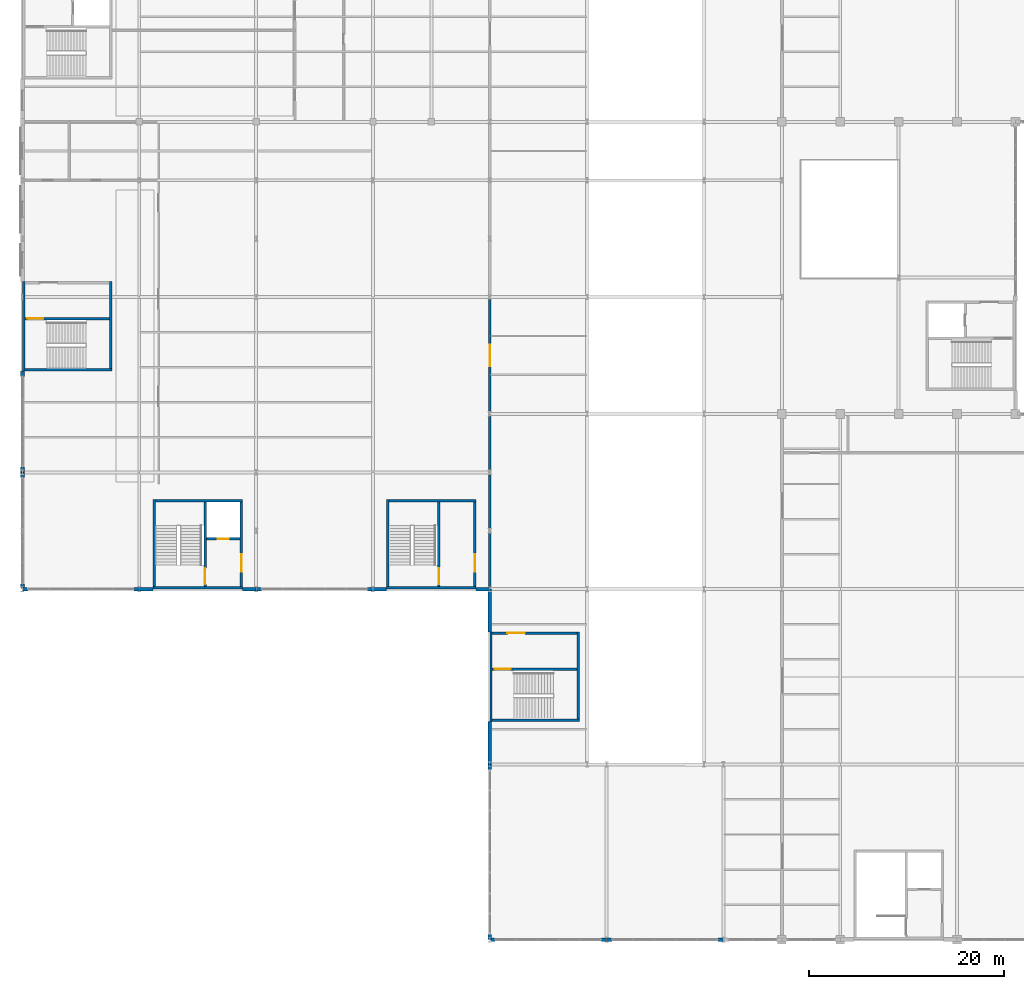
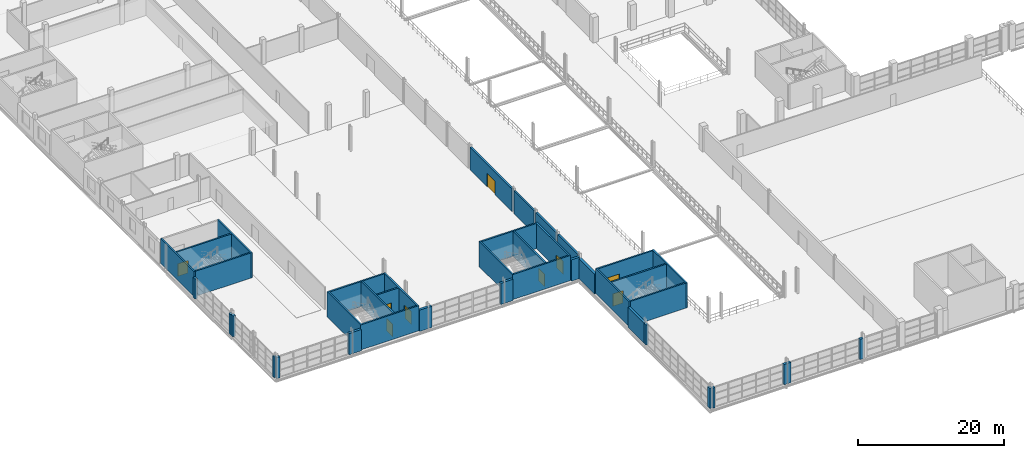
# One storey, part 138 of 158: 44 walls, 9 doors, 9 openings.
"""IFC4 building model written with IfcOpenShell, lengths in metres."""

import ifcopenshell
import ifcopenshell.guid

model = None  # the IFC model being written
_history = None  # IfcOwnerHistory: only IFC2X3 demands one
_inside = {}  # id of a spatial element -> (the spatial element, [elements in it])
_under = {}  # id of a project, library or spatial element -> (it, [spatial elements below it])
_declared = {}  # id of a project -> (the project, [libraries it declares])
_typed = {}  # id of a type object -> (the type object, [elements of that type])
_made_of = {}  # id of a material, layer set ... -> (it, [elements and type objects made of it])


def new_model(schema):
    """Start an empty IFC model of exactly this schema.

    Asked for "IFC4X3", IfcOpenShell would pick the latest addendum, in which some entities
    have other attributes; the version numbers below select the first issue.
    IFC2X3 requires an IfcOwnerHistory on every rooted entity: one is made here for all.
    """
    global model, _history
    if schema == "IFC4X3":
        model = ifcopenshell.file(schema_version=(4, 3, 0, 0))
    else:
        model = ifcopenshell.file(schema=schema)
    _inside.clear()
    _under.clear()
    _declared.clear()
    _typed.clear()
    _made_of.clear()
    _history = None
    if model.schema == "IFC2X3":
        org = make("IfcOrganization", Name="unknown")
        user = make(
            "IfcPersonAndOrganization",
            ThePerson=make("IfcPerson", FamilyName="unknown"),
            TheOrganization=org,
        )
        app = make(
            "IfcApplication",
            ApplicationDeveloper=org,
            Version="unknown",
            ApplicationFullName="unknown",
            ApplicationIdentifier="unknown",
        )
        _history = make(
            "IfcOwnerHistory",
            OwningUser=user,
            OwningApplication=app,
            ChangeAction="ADDED",
            CreationDate=0,
        )
    return model


def make(cls, **values):
    """One entity of the class cls with the attributes given. An attribute that is None is left unset."""
    return model.create_entity(
        cls, **{name: value for name, value in values.items() if value is not None}
    )


def rooted(cls, **values):
    """An entity with a GlobalId (a new one), such as an element, a storey or a relation."""
    return make(cls, GlobalId=ifcopenshell.guid.new(), OwnerHistory=_history, **values)


def si_unit(unit_type, name, prefix=None):
    """IfcSIUnit, for example si_unit("LENGTHUNIT", "METRE", prefix="MILLI")."""
    return make("IfcSIUnit", UnitType=unit_type, Prefix=prefix, Name=name)


def assignment(units):
    """IfcUnitAssignment: the units of a project."""
    return None if units is None else make("IfcUnitAssignment", Units=units)


def point(xyz):
    """IfcCartesianPoint."""
    return None if xyz is None else make("IfcCartesianPoint", Coordinates=xyz)


def direction(xyz):
    """IfcDirection."""
    return None if xyz is None else make("IfcDirection", DirectionRatios=xyz)


def frame(location, z_axis=None, x_axis=None):
    """IfcAxis2Placement3D, a coordinate frame: its origin and axes. An axis left out is left unset."""
    return make(
        "IfcAxis2Placement3D",
        Location=point(location),
        Axis=direction(z_axis),
        RefDirection=direction(x_axis),
    )


def frame_2d(location, x_axis=None):
    """IfcAxis2Placement2D, a coordinate frame in the plane: its origin and x axis."""
    return make(
        "IfcAxis2Placement2D", Location=point(location), RefDirection=direction(x_axis)
    )


def origin():
    """The frame at (0, 0, 0) with its axes left unset."""
    return frame((0.0, 0.0, 0.0))


def place(relative_to, where):
    """IfcLocalPlacement: puts the frame where relative to a parent placement (None: the world)."""
    return make(
        "IfcLocalPlacement", PlacementRelTo=relative_to, RelativePlacement=where
    )


def context(
    kind, dimensions, precision=None, world=None, true_north=None, identifier=None
):
    """IfcGeometricRepresentationContext, for example the 3D "Model" context."""
    return make(
        "IfcGeometricRepresentationContext",
        ContextIdentifier=identifier,
        ContextType=kind,
        CoordinateSpaceDimension=dimensions,
        Precision=precision,
        WorldCoordinateSystem=world,
        TrueNorth=true_north,
    )


def subcontext(parent, identifier, kind, view, scale=None):
    """IfcGeometricRepresentationSubContext, for example "Body" below "Model"."""
    return make(
        "IfcGeometricRepresentationSubContext",
        ContextIdentifier=identifier,
        ContextType=kind,
        ParentContext=parent,
        TargetScale=scale,
        TargetView=view,
    )


def project(units=None, contexts=None):
    """IfcProject with its units and contexts."""
    return rooted(
        "IfcProject",
        Name="project",
        RepresentationContexts=contexts,
        UnitsInContext=assignment(units),
    )


def spatial(cls, under=None, at=None, **own):
    """A site, building, storey or space (cls), placed at a placement, below another one or the project."""
    s = rooted(cls, ObjectPlacement=at, **own)
    if under is not None:
        _under.setdefault(under.id(), (under, []))[1].append(s)
    return s


def profile(cls, at=None, kind="AREA", **sizes):
    """A parametric profile (cls). Its sizes go by their IFC names, for example OverallWidth=200.0."""
    return make(cls, ProfileType=kind, Position=at, **sizes)


def rectangle(**sizes):
    """IfcRectangleProfileDef."""
    return profile("IfcRectangleProfileDef", **sizes)


def extrude(swept, where, along, depth):
    """IfcExtrudedAreaSolid: the profile swept, set in the frame where, extruded along a direction by depth."""
    return make(
        "IfcExtrudedAreaSolid",
        SweptArea=swept,
        Position=where,
        ExtrudedDirection=direction(along),
        Depth=depth,
    )


def shape(context_of_items, identifier, shape_type, items):
    """IfcShapeRepresentation: the items that make up one representation, for example the "Body"."""
    return make(
        "IfcShapeRepresentation",
        ContextOfItems=context_of_items,
        RepresentationIdentifier=identifier,
        RepresentationType=shape_type,
        Items=items,
    )


def material(Name=None, Category=None):
    """IfcMaterial."""
    return make("IfcMaterial", Name=Name, Category=Category)


def layer(
    of_material, thickness, ventilated=None, Name=None, Category=None, Priority=None
):
    """IfcMaterialLayer: one layer of a wall or slab, of a material (None: an air gap)."""
    return make(
        "IfcMaterialLayer",
        Material=of_material,
        LayerThickness=thickness,
        IsVentilated=ventilated,
        Name=Name,
        Category=Category,
        Priority=Priority,
    )


def layer_set(layers, Name=None):
    """IfcMaterialLayerSet."""
    return make("IfcMaterialLayerSet", MaterialLayers=layers, LayerSetName=Name)


def made_of(thing, what):
    """Note that an element or type object is made of a material, layer set ...; save() writes the relation."""
    if what is not None:
        _made_of.setdefault(what.id(), (what, []))[1].append(thing)
    return thing


def type_object(cls, material=None, **own):
    """A type object (cls), such as IfcWallType, which elements share."""
    return made_of(rooted(cls, **own), material)


def element(
    cls,
    number,
    at=None,
    inside=None,
    cuts=None,
    type_object=None,
    material=None,
    context=None,
    identifier="Body",
    shape_type=None,
    held_by="IfcProductDefinitionShape",
    body=None,
    shapes=None,
    **own,
):
    """One element of the class cls, such as IfcWall. Its Tag is "e" and its number.

    at: its placement. inside: the storey or other place that contains it. cuts: it is an
    opening in that element (IfcRelVoidsElement). A single representation is given by context,
    identifier, shape_type and body (its items); several are given by shapes. held_by: the class
    of the entity that holds the representations. save() writes the other relations.
    """
    e = rooted(cls, Tag="e%d" % number, ObjectPlacement=at, **own)
    if body is not None:
        shapes = [shape(context, identifier, shape_type, body)]
    if shapes is not None:
        e.Representation = make(held_by, Representations=shapes)
    if inside is not None:
        _inside.setdefault(inside.id(), (inside, []))[1].append(e)
    if cuts is not None:
        rooted(
            "IfcRelVoidsElement", RelatingBuildingElement=cuts, RelatedOpeningElement=e
        )
    if type_object is not None:
        _typed.setdefault(type_object.id(), (type_object, []))[1].append(e)
    return made_of(e, material)


def fill(opening, filler):
    """IfcRelFillsElement: the door or window that sits in an opening."""
    return rooted(
        "IfcRelFillsElement",
        RelatingOpeningElement=opening,
        RelatedBuildingElement=filler,
    )


def aggregate(whole, parts):
    """IfcRelAggregates: a whole, such as a stair, and the parts it consists of."""
    return rooted("IfcRelAggregates", RelatingObject=whole, RelatedObjects=parts)


def save(model, path):
    """Write the relations noted so far, then the file.

    IfcRelAggregates (storeys below a building ...), IfcRelContainedInSpatialStructure (elements
    in a storey), IfcRelDefinesByType, IfcRelAssociatesMaterial and IfcRelDeclares: one each for
    every whole, place, type object, material and project.
    """
    for whole, parts in _under.values():
        aggregate(whole, parts)
    for where, things in _inside.values():
        rooted(
            "IfcRelContainedInSpatialStructure",
            RelatedElements=things,
            RelatingStructure=where,
        )
    for kind, things in _typed.values():
        rooted("IfcRelDefinesByType", RelatedObjects=things, RelatingType=kind)
    for what, things in _made_of.values():
        rooted("IfcRelAssociatesMaterial", RelatedObjects=things, RelatingMaterial=what)
    for by, libraries in _declared.values():
        rooted("IfcRelDeclares", RelatingContext=by, RelatedDefinitions=libraries)
    model.write(path)


model = new_model("IFC4")

# Units and contexts
model_context = context("Model", 3, precision=1e-05, world=origin(), true_north=direction((0.0, 1.0)))
body_context = subcontext(model_context, "Body", "Model", "MODEL_VIEW")
ifc_project = project(units=[si_unit("LENGTHUNIT", "METRE"), si_unit("AREAUNIT", "SQUARE_METRE"), si_unit("VOLUMEUNIT", "CUBIC_METRE"), si_unit("PLANEANGLEUNIT", "RADIAN"), si_unit("MASSUNIT", "GRAM", prefix="KILO")], contexts=[model_context])

# Site, building, storey
site_placement = place(None, origin())
site = spatial("IfcSite", under=ifc_project, at=site_placement, CompositionType="ELEMENT")
building_placement = place(site_placement, origin())
building = spatial("IfcBuilding", under=site, at=building_placement, Name="Zilviju Railside Exhibition Hall", CompositionType="ELEMENT")
storey_placement = place(building_placement, frame((0.0, 0.0, 4.199951171875)))
storey = spatial("IfcBuildingStorey", under=building, at=storey_placement, Name="L02", CompositionType="ELEMENT", Elevation=4.199951171875)

# Walls
ifc_material_1 = material(Name="Concrete C35/45", Category="concrete")
ifc_layer_1 = layer(ifc_material_1, 0.280029296875)
ifc_layer_set_1 = layer_set([ifc_layer_1], Name="Concrete C35/45")
wall_type_1 = type_object("IfcWallType", Name="WL-COMP-280", PredefinedType="SHEAR", material=ifc_layer_set_1)
for number, where, z_axis, x_axis, name in (
    (1, (48.0, 36.251953125, 0.0), (0.0, 0.0, 1.0), (0.0, 1.0, 0.0), "REI 180 Congress-Concourse Compartment Wall L02"),
    (2, (48.0, 42.251953125, 0.0), (0.0, 0.0, 1.0), (0.0, 1.0, 0.0), "REI 180 Congress-Concourse Compartment Wall L02"),
    (3, (48.0, 48.251953125, 0.0), (0.0, 0.0, 1.0), (0.0, 1.0, 0.0), "REI 180 Congress-Concourse Compartment Wall L02"),
):
    element("IfcWall", number, at=place(storey_placement, frame(where, z_axis=z_axis, x_axis=x_axis)), inside=storey, type_object=wall_type_1, Name=name, PredefinedType="SHEAR", context=body_context, shape_type="SweptSolid", body=[
        extrude(rectangle(XDim=5.49609375, YDim=0.280029296875, at=frame_2d((2.748046875, 0.0))), origin(), (0.0, 0.0, 1.0), 3.800048828125),
    ])

# Wall, opening, door
wall_1_placement = place(storey_placement, frame((48.0, 54.251953125, 0.0), z_axis=(0.0, 0.0, 1.0), x_axis=(0.0, 1.0, 0.0)))
wall_1 = element("IfcWall", 4, at=wall_1_placement, inside=storey, type_object=wall_type_1, Name="REI 180 Congress-Concourse Compartment Wall L02", PredefinedType="SHEAR", context=body_context, shape_type="SweptSolid", body=[
    extrude(rectangle(XDim=11.49609375, YDim=0.280029296875, at=frame_2d((5.748046875, 0.0))), origin(), (0.0, 0.0, 1.0), 3.800048828125),
])
opening_1_placement = place(wall_1_placement, frame((4.64794921875, 0.0, 0.0)))
opening_1 = element("IfcOpeningElement", 5, at=opening_1_placement, cuts=wall_1, Name="Opening FD-03", PredefinedType="OPENING", context=body_context, shape_type="SweptSolid", body=[
    extrude(rectangle(XDim=2.199951171875, YDim=2.300048828125, at=frame_2d((1.10009765625, 1.14990234375))), frame((0.0, 0.14990234375, 0.0), z_axis=(0.0, -1.0, 0.0), x_axis=(1.0, 0.0, 0.0)), (0.0, 0.0, 1.0), 0.300048828125),
])
ifc_material_2 = material(Name="Hold-open double compartment fire door EI 60", Category="wood")
door_type_1 = type_object("IfcDoorType", Name="DR-COMP-220x230", OperationType="NOTDEFINED", PredefinedType="DOOR", material=ifc_material_2)
door_1_placement = place(opening_1_placement, origin())
door_1 = element("IfcDoor", 6, at=door_1_placement, inside=storey, type_object=door_type_1, Name="Congress Link Fire Door L02", OperationType="DOUBLE_DOOR_SINGLE_SWING", OverallHeight=2.300048828125, OverallWidth=2.199951171875, PredefinedType="DOOR", context=body_context, shape_type="SweptSolid", body=[
    extrude(rectangle(XDim=2.199951171875, YDim=2.300048828125, at=frame_2d((1.10009765625, 1.14990234375))), frame((0.0, 0.02490234375, 0.0), z_axis=(0.0, -1.0, 0.0), x_axis=(1.0, 0.0, 0.0)), (0.0, 0.0, 1.0), 0.050048828125),
])
fill(opening_1, door_1)

# Walls
ifc_layer_2 = layer(ifc_material_1, 0.25)
ifc_layer_set_2 = layer_set([ifc_layer_2], Name="Concrete C35/45")
wall_type_2 = type_object("IfcWallType", Name="WL-CORE-250", PredefinedType="SHEAR", material=ifc_layer_set_2)
wall_2_placement = place(storey_placement, frame((48.0, 22.52490234375, 0.0), z_axis=(0.0, 0.0, 1.0), x_axis=(1.0, 0.0, 0.0)))
element("IfcWall", 7, at=wall_2_placement, inside=storey, type_object=wall_type_2, Name="Core C11 Winter Concourse Forecourt Stairwell Outer Wall L02", PredefinedType="SHEAR", context=body_context, shape_type="SweptSolid", body=[
    extrude(rectangle(XDim=9.199951171875, YDim=0.25, at=frame_2d((4.60009765625, 0.0))), origin(), (0.0, 0.0, 1.0), 4.199951171875),
])
wall_3_placement = place(storey_placement, frame((57.074951171875, 22.39990234375, 0.0), z_axis=(0.0, 0.0, 1.0), x_axis=(0.0, 1.0, 0.0)))
element("IfcWall", 8, at=wall_3_placement, inside=storey, type_object=wall_type_2, Name="Core C11 Winter Concourse Forecourt Core Rear Wall L02", PredefinedType="SHEAR", context=body_context, shape_type="SweptSolid", body=[
    extrude(rectangle(XDim=9.2001953125, YDim=0.25, at=frame_2d((4.60009765625, 0.0))), origin(), (0.0, 0.0, 1.0), 4.199951171875),
])

# Wall, opening, door
wall_4_placement = place(storey_placement, frame((48.0, 31.47509765625, 0.0), z_axis=(0.0, 0.0, 1.0), x_axis=(1.0, 0.0, 0.0)))
wall_4 = element("IfcWall", 9, at=wall_4_placement, inside=storey, type_object=wall_type_2, Name="Core C11 Winter Concourse Forecourt Lobby Side Wall L02", PredefinedType="SHEAR", context=body_context, shape_type="SweptSolid", body=[
    extrude(rectangle(XDim=9.199951171875, YDim=0.25, at=frame_2d((4.60009765625, 0.0))), origin(), (0.0, 0.0, 1.0), 4.199951171875),
])
opening_2_placement = place(wall_4_placement, frame((1.800048828125, 0.0, 0.0)))
opening_2 = element("IfcOpeningElement", 10, at=opening_2_placement, cuts=wall_4, Name="Opening FD-02", PredefinedType="OPENING", context=body_context, shape_type="SweptSolid", body=[
    extrude(rectangle(XDim=1.800048828125, YDim=2.14990234375, at=frame_2d((0.89990234375, 1.074951171875))), frame((0.0, 0.135009765625, 0.0), z_axis=(0.0, -1.0, 0.0), x_axis=(1.0, 0.0, 0.0)), (0.0, 0.0, 1.0), 0.27001953125),
])
ifc_material_3 = material(Name="Self-closing glazed steel core lobby fire door EI 60", Category="steel")
door_type_2 = type_object("IfcDoorType", Name="DR-LOBBY-180x215", OperationType="NOTDEFINED", PredefinedType="DOOR", material=ifc_material_3)
door_2_placement = place(opening_2_placement, origin())
door_2 = element("IfcDoor", 11, at=door_2_placement, inside=storey, type_object=door_type_2, Name="Core C11 Winter Concourse Forecourt Lobby Fire Door L02", OperationType="DOUBLE_DOOR_SINGLE_SWING", OverallHeight=2.14990234375, OverallWidth=1.800048828125, PredefinedType="DOOR", context=body_context, shape_type="SweptSolid", body=[
    extrude(rectangle(XDim=1.800048828125, YDim=2.14990234375, at=frame_2d((0.89990234375, 1.074951171875))), frame((0.0, 0.02490234375, 0.0), z_axis=(0.0, -1.0, 0.0), x_axis=(1.0, 0.0, 0.0)), (0.0, 0.0, 1.0), 0.050048828125),
])
fill(opening_2, door_2)

wall_5_placement = place(storey_placement, frame((48.25, 27.77490234375, 0.0), z_axis=(0.0, 0.0, 1.0), x_axis=(1.0, 0.0, 0.0)))
wall_5 = element("IfcWall", 12, at=wall_5_placement, inside=storey, type_object=wall_type_2, Name="Core C11 Winter Concourse Forecourt Stairwell Partition Wall L02", PredefinedType="SHEAR", context=body_context, shape_type="SweptSolid", body=[
    extrude(rectangle(XDim=8.699951171875, YDim=0.25, at=frame_2d((4.35009765625, 0.0))), origin(), (0.0, 0.0, 1.0), 4.199951171875),
])
opening_3_placement = place(wall_5_placement, frame((0.25, 0.0, 0.0)))
opening_3 = element("IfcOpeningElement", 13, at=opening_3_placement, cuts=wall_5, Name="Opening FD-01", PredefinedType="OPENING", context=body_context, shape_type="SweptSolid", body=[
    extrude(rectangle(XDim=1.64990234375, YDim=2.10009765625, at=frame_2d((0.824951171875, 1.050048828125))), frame((0.0, 0.135009765625, 0.0), z_axis=(0.0, -1.0, 0.0), x_axis=(1.0, 0.0, 0.0)), (0.0, 0.0, 1.0), 0.27001953125),
])
ifc_material_4 = material(Name="Self-closing steel stair enclosure fire door EI 60", Category="steel")
door_type_3 = type_object("IfcDoorType", Name="DR-STAIR-165x210", OperationType="NOTDEFINED", PredefinedType="DOOR", material=ifc_material_4)
door_3_placement = place(opening_3_placement, origin())
door_3 = element("IfcDoor", 14, at=door_3_placement, inside=storey, type_object=door_type_3, Name="Core C11 Winter Concourse Forecourt Protected Stair Door L02", OperationType="SINGLE_SWING_RIGHT", OverallHeight=2.10009765625, OverallWidth=1.64990234375, PredefinedType="DOOR", context=body_context, shape_type="SweptSolid", body=[
    extrude(rectangle(XDim=1.64990234375, YDim=2.10009765625, at=frame_2d((0.824951171875, 1.050048828125))), frame((0.0, 0.02490234375, 0.0), z_axis=(0.0, -1.0, 0.0), x_axis=(1.0, 0.0, 0.0)), (0.0, 0.0, 1.0), 0.050048828125),
])
fill(opening_3, door_3)

# Walls
wall_6_placement = place(storey_placement, frame((13.52490234375, 36.0, 0.0), z_axis=(0.0, 0.0, 1.0), x_axis=(0.0, 1.0, 0.0)))
element("IfcWall", 15, at=wall_6_placement, inside=storey, type_object=wall_type_2, Name="Core C12 Congress Plenary SouthW Stairwell Outer Wall L02", PredefinedType="SHEAR", context=body_context, shape_type="SweptSolid", body=[
    extrude(rectangle(XDim=9.199951171875, YDim=0.25, at=frame_2d((4.60009765625, 0.0))), origin(), (0.0, 0.0, 1.0), 4.199951171875),
])
wall_7_placement = place(storey_placement, frame((13.39990234375, 45.074951171875, 0.0), z_axis=(0.0, 0.0, 1.0), x_axis=(1.0, 0.0, 0.0)))
element("IfcWall", 16, at=wall_7_placement, inside=storey, type_object=wall_type_2, Name="Core C12 Congress Plenary SouthW Core Rear Wall L02", PredefinedType="SHEAR", context=body_context, shape_type="SweptSolid", body=[
    extrude(rectangle(XDim=9.2001953125, YDim=0.25, at=frame_2d((4.60009765625, 0.0))), origin(), (0.0, 0.0, 1.0), 4.199951171875),
])

# Wall, opening, door
wall_8_placement = place(storey_placement, frame((22.47509765625, 36.0, 0.0), z_axis=(0.0, 0.0, 1.0), x_axis=(0.0, 1.0, 0.0)))
wall_8 = element("IfcWall", 17, at=wall_8_placement, inside=storey, type_object=wall_type_2, Name="Core C12 Congress Plenary SouthW Lobby Side Wall L02", PredefinedType="SHEAR", context=body_context, shape_type="SweptSolid", body=[
    extrude(rectangle(XDim=9.199951171875, YDim=0.25, at=frame_2d((4.60009765625, 0.0))), origin(), (0.0, 0.0, 1.0), 4.199951171875),
])
opening_4_placement = place(wall_8_placement, frame((1.800048828125, 0.0, 0.0)))
opening_4 = element("IfcOpeningElement", 18, at=opening_4_placement, cuts=wall_8, Name="Opening FD-02", PredefinedType="OPENING", context=body_context, shape_type="SweptSolid", body=[
    extrude(rectangle(XDim=1.800048828125, YDim=2.14990234375, at=frame_2d((0.89990234375, 1.074951171875))), frame((0.0, 0.135009765625, 0.0), z_axis=(0.0, -1.0, 0.0), x_axis=(1.0, 0.0, 0.0)), (0.0, 0.0, 1.0), 0.27001953125),
])
door_4_placement = place(opening_4_placement, origin())
door_4 = element("IfcDoor", 19, at=door_4_placement, inside=storey, type_object=door_type_2, Name="Core C12 Congress Plenary SouthW Lobby Fire Door L02", OperationType="DOUBLE_DOOR_SINGLE_SWING", OverallHeight=2.14990234375, OverallWidth=1.800048828125, PredefinedType="DOOR", context=body_context, shape_type="SweptSolid", body=[
    extrude(rectangle(XDim=1.800048828125, YDim=2.14990234375, at=frame_2d((0.89990234375, 1.074951171875))), frame((0.0, 0.02490234375, 0.0), z_axis=(0.0, -1.0, 0.0), x_axis=(1.0, 0.0, 0.0)), (0.0, 0.0, 1.0), 0.050048828125),
])
fill(opening_4, door_4)

wall_9_placement = place(storey_placement, frame((18.77490234375, 36.25, 0.0), z_axis=(0.0, 0.0, 1.0), x_axis=(0.0, 1.0, 0.0)))
wall_9 = element("IfcWall", 20, at=wall_9_placement, inside=storey, type_object=wall_type_2, Name="Core C12 Congress Plenary SouthW Stairwell Partition Wall L02", PredefinedType="SHEAR", context=body_context, shape_type="SweptSolid", body=[
    extrude(rectangle(XDim=8.699951171875, YDim=0.25, at=frame_2d((4.35009765625, 0.0))), origin(), (0.0, 0.0, 1.0), 4.199951171875),
])
opening_5_placement = place(wall_9_placement, frame((0.25, 0.0, 0.0)))
opening_5 = element("IfcOpeningElement", 21, at=opening_5_placement, cuts=wall_9, Name="Opening FD-01", PredefinedType="OPENING", context=body_context, shape_type="SweptSolid", body=[
    extrude(rectangle(XDim=1.64990234375, YDim=2.10009765625, at=frame_2d((0.824951171875, 1.050048828125))), frame((0.0, 0.135009765625, 0.0), z_axis=(0.0, -1.0, 0.0), x_axis=(1.0, 0.0, 0.0)), (0.0, 0.0, 1.0), 0.27001953125),
])
door_5_placement = place(opening_5_placement, origin())
door_5 = element("IfcDoor", 22, at=door_5_placement, inside=storey, type_object=door_type_3, Name="Core C12 Congress Plenary SouthW Protected Stair Door L02", OperationType="SINGLE_SWING_LEFT", OverallHeight=2.10009765625, OverallWidth=1.64990234375, PredefinedType="DOOR", context=body_context, shape_type="SweptSolid", body=[
    extrude(rectangle(XDim=1.64990234375, YDim=2.10009765625, at=frame_2d((0.824951171875, 1.050048828125))), frame((0.0, 0.02490234375, 0.0), z_axis=(0.0, -1.0, 0.0), x_axis=(1.0, 0.0, 0.0)), (0.0, 0.0, 1.0), 0.050048828125),
])
fill(opening_5, door_5)

wall_10_placement = place(storey_placement, frame((18.89990234375, 41.175048828125, 0.0), z_axis=(0.0, 0.0, 1.0), x_axis=(1.0, 0.0, 0.0)))
wall_10 = element("IfcWall", 23, at=wall_10_placement, inside=storey, type_object=wall_type_2, Name="Core C12 Congress Plenary SouthW Lift Shaft Front Wall L02", PredefinedType="SHEAR", context=body_context, shape_type="SweptSolid", body=[
    extrude(rectangle(XDim=3.4501953125, YDim=0.25, at=frame_2d((1.72509765625, 0.0))), origin(), (0.0, 0.0, 1.0), 4.199951171875),
])
opening_6_placement = place(wall_10_placement, frame((1.175048828125, 0.0, 0.0)))
opening_6 = element("IfcOpeningElement", 24, at=opening_6_placement, cuts=wall_10, Name="Opening LD-01", PredefinedType="OPENING", context=body_context, shape_type="SweptSolid", body=[
    extrude(rectangle(XDim=1.10009765625, YDim=2.10009765625, at=frame_2d((0.550048828125, 1.050048828125))), frame((0.0, 0.135009765625, 0.0), z_axis=(0.0, -1.0, 0.0), x_axis=(1.0, 0.0, 0.0)), (0.0, 0.0, 1.0), 0.27001953125),
])
ifc_material_5 = material(Name="Passenger lift sliding landing door EI 60", Category="wood")
door_type_4 = type_object("IfcDoorType", Name="DR-LIFT-110x210", OperationType="NOTDEFINED", PredefinedType="DOOR", material=ifc_material_5)
door_6_placement = place(opening_6_placement, origin())
door_6 = element("IfcDoor", 25, at=door_6_placement, inside=storey, type_object=door_type_4, Name="Lift Landing Door LP-05 L02", OperationType="SLIDING_TO_RIGHT", OverallHeight=2.10009765625, OverallWidth=1.10009765625, PredefinedType="DOOR", context=body_context, shape_type="SweptSolid", body=[
    extrude(rectangle(XDim=1.10009765625, YDim=2.10009765625, at=frame_2d((0.550048828125, 1.050048828125))), frame((0.0, 0.02490234375, 0.0), z_axis=(0.0, -1.0, 0.0), x_axis=(1.0, 0.0, 0.0)), (0.0, 0.0, 1.0), 0.050048828125),
])
fill(opening_6, door_6)

# Walls
wall_11_placement = place(storey_placement, frame((37.52490234375, 36.0, 0.0), z_axis=(0.0, 0.0, 1.0), x_axis=(0.0, 1.0, 0.0)))
element("IfcWall", 26, at=wall_11_placement, inside=storey, type_object=wall_type_2, Name="Core C13 Congress Plenary SouthE Stairwell Outer Wall L02", PredefinedType="SHEAR", context=body_context, shape_type="SweptSolid", body=[
    extrude(rectangle(XDim=9.199951171875, YDim=0.25, at=frame_2d((4.60009765625, 0.0))), origin(), (0.0, 0.0, 1.0), 4.199951171875),
])
wall_12_placement = place(storey_placement, frame((37.39990234375, 45.074951171875, 0.0), z_axis=(0.0, 0.0, 1.0), x_axis=(1.0, 0.0, 0.0)))
element("IfcWall", 27, at=wall_12_placement, inside=storey, type_object=wall_type_2, Name="Core C13 Congress Plenary SouthE Core Rear Wall L02", PredefinedType="SHEAR", context=body_context, shape_type="SweptSolid", body=[
    extrude(rectangle(XDim=9.2001953125, YDim=0.25, at=frame_2d((4.60009765625, 0.0))), origin(), (0.0, 0.0, 1.0), 4.199951171875),
])

# Wall, opening, door
wall_13_placement = place(storey_placement, frame((46.47509765625, 36.0, 0.0), z_axis=(0.0, 0.0, 1.0), x_axis=(0.0, 1.0, 0.0)))
wall_13 = element("IfcWall", 28, at=wall_13_placement, inside=storey, type_object=wall_type_2, Name="Core C13 Congress Plenary SouthE Lobby Side Wall L02", PredefinedType="SHEAR", context=body_context, shape_type="SweptSolid", body=[
    extrude(rectangle(XDim=9.199951171875, YDim=0.25, at=frame_2d((4.60009765625, 0.0))), origin(), (0.0, 0.0, 1.0), 4.199951171875),
])
opening_7_placement = place(wall_13_placement, frame((1.800048828125, 0.0, 0.0)))
opening_7 = element("IfcOpeningElement", 29, at=opening_7_placement, cuts=wall_13, Name="Opening FD-02", PredefinedType="OPENING", context=body_context, shape_type="SweptSolid", body=[
    extrude(rectangle(XDim=1.800048828125, YDim=2.14990234375, at=frame_2d((0.89990234375, 1.074951171875))), frame((0.0, 0.135009765625, 0.0), z_axis=(0.0, -1.0, 0.0), x_axis=(1.0, 0.0, 0.0)), (0.0, 0.0, 1.0), 0.27001953125),
])
door_7_placement = place(opening_7_placement, origin())
door_7 = element("IfcDoor", 30, at=door_7_placement, inside=storey, type_object=door_type_2, Name="Core C13 Congress Plenary SouthE Lobby Fire Door L02", OperationType="DOUBLE_DOOR_SINGLE_SWING", OverallHeight=2.14990234375, OverallWidth=1.800048828125, PredefinedType="DOOR", context=body_context, shape_type="SweptSolid", body=[
    extrude(rectangle(XDim=1.800048828125, YDim=2.14990234375, at=frame_2d((0.89990234375, 1.074951171875))), frame((0.0, 0.02490234375, 0.0), z_axis=(0.0, -1.0, 0.0), x_axis=(1.0, 0.0, 0.0)), (0.0, 0.0, 1.0), 0.050048828125),
])
fill(opening_7, door_7)

wall_14_placement = place(storey_placement, frame((42.77490234375, 36.25, 0.0), z_axis=(0.0, 0.0, 1.0), x_axis=(0.0, 1.0, 0.0)))
wall_14 = element("IfcWall", 31, at=wall_14_placement, inside=storey, type_object=wall_type_2, Name="Core C13 Congress Plenary SouthE Stairwell Partition Wall L02", PredefinedType="SHEAR", context=body_context, shape_type="SweptSolid", body=[
    extrude(rectangle(XDim=8.699951171875, YDim=0.25, at=frame_2d((4.35009765625, 0.0))), origin(), (0.0, 0.0, 1.0), 4.199951171875),
])
opening_8_placement = place(wall_14_placement, frame((0.25, 0.0, 0.0)))
opening_8 = element("IfcOpeningElement", 32, at=opening_8_placement, cuts=wall_14, Name="Opening FD-01", PredefinedType="OPENING", context=body_context, shape_type="SweptSolid", body=[
    extrude(rectangle(XDim=1.64990234375, YDim=2.10009765625, at=frame_2d((0.824951171875, 1.050048828125))), frame((0.0, 0.135009765625, 0.0), z_axis=(0.0, -1.0, 0.0), x_axis=(1.0, 0.0, 0.0)), (0.0, 0.0, 1.0), 0.27001953125),
])
door_8_placement = place(opening_8_placement, origin())
door_8 = element("IfcDoor", 33, at=door_8_placement, inside=storey, type_object=door_type_3, Name="Core C13 Congress Plenary SouthE Protected Stair Door L02", OperationType="SINGLE_SWING_RIGHT", OverallHeight=2.10009765625, OverallWidth=1.64990234375, PredefinedType="DOOR", context=body_context, shape_type="SweptSolid", body=[
    extrude(rectangle(XDim=1.64990234375, YDim=2.10009765625, at=frame_2d((0.824951171875, 1.050048828125))), frame((0.0, 0.02490234375, 0.0), z_axis=(0.0, -1.0, 0.0), x_axis=(1.0, 0.0, 0.0)), (0.0, 0.0, 1.0), 0.050048828125),
])
fill(opening_8, door_8)

# Walls
wall_15_placement = place(storey_placement, frame((0.0, 58.52490234375, 0.0), z_axis=(0.0, 0.0, 1.0), x_axis=(1.0, 0.0, 0.0)))
element("IfcWall", 34, at=wall_15_placement, inside=storey, type_object=wall_type_2, Name="Core C14 Congress Plenary West Stairwell Outer Wall L02", PredefinedType="SHEAR", context=body_context, shape_type="SweptSolid", body=[
    extrude(rectangle(XDim=9.199951171875, YDim=0.25, at=frame_2d((4.60009765625, 0.0))), origin(), (0.0, 0.0, 1.0), 4.199951171875),
])
wall_16_placement = place(storey_placement, frame((9.074951171875, 58.39990234375, 0.0), z_axis=(0.0, 0.0, 1.0), x_axis=(0.0, 1.0, 0.0)))
element("IfcWall", 35, at=wall_16_placement, inside=storey, type_object=wall_type_2, Name="Core C14 Congress Plenary West Core Rear Wall L02", PredefinedType="SHEAR", context=body_context, shape_type="SweptSolid", body=[
    extrude(rectangle(XDim=9.2001953125, YDim=0.25, at=frame_2d((4.60009765625, 0.0))), origin(), (0.0, 0.0, 1.0), 4.199951171875),
])

# Wall, opening, door
wall_17_placement = place(storey_placement, frame((0.25, 63.77490234375, 0.0), z_axis=(0.0, 0.0, 1.0), x_axis=(1.0, 0.0, 0.0)))
wall_17 = element("IfcWall", 36, at=wall_17_placement, inside=storey, type_object=wall_type_2, Name="Core C14 Congress Plenary West Stairwell Partition Wall L02", PredefinedType="SHEAR", context=body_context, shape_type="SweptSolid", body=[
    extrude(rectangle(XDim=8.699951171875, YDim=0.25, at=frame_2d((4.35009765625, 0.0))), origin(), (0.0, 0.0, 1.0), 4.199951171875),
])
opening_9_placement = place(wall_17_placement, frame((0.25, 0.0, 0.0)))
opening_9 = element("IfcOpeningElement", 37, at=opening_9_placement, cuts=wall_17, Name="Opening FD-01", PredefinedType="OPENING", context=body_context, shape_type="SweptSolid", body=[
    extrude(rectangle(XDim=1.64990234375, YDim=2.10009765625, at=frame_2d((0.824951171875, 1.050048828125))), frame((0.0, 0.135009765625, 0.0), z_axis=(0.0, -1.0, 0.0), x_axis=(1.0, 0.0, 0.0)), (0.0, 0.0, 1.0), 0.27001953125),
])
door_9_placement = place(opening_9_placement, origin())
door_9 = element("IfcDoor", 38, at=door_9_placement, inside=storey, type_object=door_type_3, Name="Core C14 Congress Plenary West Protected Stair Door L02", OperationType="SINGLE_SWING_LEFT", OverallHeight=2.10009765625, OverallWidth=1.64990234375, PredefinedType="DOOR", context=body_context, shape_type="SweptSolid", body=[
    extrude(rectangle(XDim=1.64990234375, YDim=2.10009765625, at=frame_2d((0.824951171875, 1.050048828125))), frame((0.0, 0.02490234375, 0.0), z_axis=(0.0, -1.0, 0.0), x_axis=(1.0, 0.0, 0.0)), (0.0, 0.0, 1.0), 0.050048828125),
])
fill(opening_9, door_9)

# Walls
ifc_material_6 = material(Name="Concrete C40/50", Category="concrete")
ifc_layer_3 = layer(ifc_material_6, 0.25)
ifc_layer_set_3 = layer_set([ifc_layer_3], Name="Concrete C40/50")
wall_type_3 = type_object("IfcWallType", Name="WL-CORE-300", PredefinedType="SHEAR", material=ifc_layer_set_3)
for number, where, z_axis, x_axis, name in (
    (39, (48.125, 22.39990234375, 0.0), (0.0, 0.0, 1.0), (0.0, 1.0, 0.0), "Core C11 Winter Concourse Forecourt Exterior Core Wall L02"),
    (40, (22.60009765625, 36.125, 0.0), (0.0, 0.0, 1.0), (-1.0, 0.0, 0.0), "Core C12 Congress Plenary SouthW Exterior Core Wall L02"),
    (41, (46.60009765625, 36.125, 0.0), (0.0, 0.0, 1.0), (-1.0, 0.0, 0.0), "Core C13 Congress Plenary SouthE Exterior Core Wall L02"),
    (42, (0.125, 58.39990234375, 0.0), (0.0, 0.0, 1.0), (0.0, 1.0, 0.0), "Core C14 Congress Plenary West Exterior Core Wall L02"),
):
    element("IfcWall", number, at=place(storey_placement, frame(where, z_axis=z_axis, x_axis=x_axis)), inside=storey, type_object=wall_type_3, Name=name, PredefinedType="SHEAR", context=body_context, shape_type="SweptSolid", body=[
        extrude(rectangle(XDim=9.2001953125, YDim=0.25, at=frame_2d((4.60009765625, 0.0))), origin(), (0.0, 0.0, 1.0), 4.199951171875),
    ])
ifc_material_7 = material(Name="Insulated cream-brick upper facade wall", Category="masonry")
ifc_layer_4 = layer(ifc_material_7, 0.3798828125)
ifc_layer_set_4 = layer_set([ifc_layer_4], Name="Insulated cream-brick upper facade wall")
wall_type_4 = type_object("IfcWallType", Name="WL-EXT-380", PredefinedType="SOLIDWALL", material=ifc_layer_set_4)
wall_18_placement = place(storey_placement, frame((48.550048828125, 0.0, 0.0), z_axis=(0.0, 0.0, 1.0), x_axis=(-1.0, 0.0, 0.0)))
element("IfcWall", 43, at=wall_18_placement, inside=storey, type_object=wall_type_4, Name="Curtain-Wall Jamb Closure Pier L02 0390", PredefinedType="SOLIDWALL", context=body_context, shape_type="SweptSolid", body=[
    extrude(rectangle(XDim=0.358154296875, YDim=0.3798828125, at=frame_2d((0.17919921875, 0.0))), origin(), (0.0, 0.0, 1.0), 3.400146484375),
])
wall_19_placement = place(storey_placement, frame((60.0, 0.0, 0.0), z_axis=(0.0, 0.0, 1.0), x_axis=(-1.0, 0.0, 0.0)))
element("IfcWall", 44, at=wall_19_placement, inside=storey, type_object=wall_type_4, Name="Curtain-Wall Jamb Closure Pier L02 0391", PredefinedType="SOLIDWALL", context=body_context, shape_type="SweptSolid", body=[
    extrude(rectangle(XDim=0.550048828125, YDim=0.3798828125, at=frame_2d((0.27490234375, 0.0))), origin(), (0.0, 0.0, 1.0), 3.400146484375),
])
wall_20_placement = place(storey_placement, frame((60.550048828125, 0.0, 0.0), z_axis=(0.0, 0.0, 1.0), x_axis=(-1.0, 0.0, 0.0)))
element("IfcWall", 45, at=wall_20_placement, inside=storey, type_object=wall_type_4, Name="Curtain-Wall Jamb Closure Pier L02 0392", PredefinedType="SOLIDWALL", context=body_context, shape_type="SweptSolid", body=[
    extrude(rectangle(XDim=0.548095703125, YDim=0.3798828125, at=frame_2d((0.27392578125, 0.0))), origin(), (0.0, 0.0, 1.0), 3.400146484375),
])
wall_21_placement = place(storey_placement, frame((72.0, 0.0, 0.0), z_axis=(0.0, 0.0, 1.0), x_axis=(-1.0, 0.0, 0.0)))
element("IfcWall", 46, at=wall_21_placement, inside=storey, type_object=wall_type_4, Name="Curtain-Wall Jamb Closure Pier L02 0393", PredefinedType="SOLIDWALL", context=body_context, shape_type="SweptSolid", body=[
    extrude(rectangle(XDim=0.550048828125, YDim=0.3798828125, at=frame_2d((0.27490234375, 0.0))), origin(), (0.0, 0.0, 1.0), 3.400146484375),
])
wall_22_placement = place(storey_placement, frame((48.0, 0.0, 0.0), z_axis=(0.0, 0.0, 1.0), x_axis=(0.0, 1.0, 0.0)))
element("IfcWall", 47, at=wall_22_placement, inside=storey, type_object=wall_type_4, Name="Curtain-Wall Jamb Closure Pier L02 0401", PredefinedType="SOLIDWALL", context=body_context, shape_type="SweptSolid", body=[
    extrude(rectangle(XDim=0.550048828125, YDim=0.3798828125, at=frame_2d((0.27490234375, 0.0))), origin(), (0.0, 0.0, 1.0), 3.35009765625),
])
wall_23_placement = place(storey_placement, frame((48.0, 17.449951171875, 0.0), z_axis=(0.0, 0.0, 1.0), x_axis=(0.0, 1.0, 0.0)))
element("IfcWall", 48, at=wall_23_placement, inside=storey, type_object=wall_type_4, Name="Curtain-Wall Jamb Closure Pier L02 0402", PredefinedType="SOLIDWALL", context=body_context, shape_type="SweptSolid", body=[
    extrude(rectangle(XDim=0.548095703125, YDim=0.3798828125, at=frame_2d((0.27392578125, 0.0))), origin(), (0.0, 0.0, 1.0), 3.35009765625),
])
for number, where, z_axis, x_axis, name in (
    (49, (48.0, 18.0, 0.0), (0.0, 0.0, 1.0), (0.0, 1.0, 0.0), "Exterior Facade Wall L02 West 0403"),
    (50, (48.0, 31.60009765625, 0.0), (0.0, 0.0, 1.0), (0.0, 1.0, 0.0), "Exterior Facade Wall L02 West 0404"),
):
    element("IfcWall", number, at=place(storey_placement, frame(where, z_axis=z_axis, x_axis=x_axis)), inside=storey, type_object=wall_type_4, Name=name, PredefinedType="SOLIDWALL", context=body_context, shape_type="SweptSolid", body=[
        extrude(rectangle(XDim=4.39990234375, YDim=0.3798828125, at=frame_2d((2.199951171875, 0.0))), origin(), (0.0, 0.0, 1.0), 3.35009765625),
    ])
wall_24_placement = place(storey_placement, frame((0.550048828125, 36.0, 0.0), z_axis=(0.0, 0.0, 1.0), x_axis=(-1.0, 0.0, 0.0)))
element("IfcWall", 51, at=wall_24_placement, inside=storey, type_object=wall_type_4, Name="Curtain-Wall Jamb Closure Pier L02 0433", PredefinedType="SOLIDWALL", context=body_context, shape_type="SweptSolid", body=[
    extrude(rectangle(XDim=0.550048828125, YDim=0.3798828125, at=frame_2d((0.27490234375, 0.0))), origin(), (0.0, 0.0, 1.0), 3.52001953125),
])
wall_25_placement = place(storey_placement, frame((11.998046875, 36.0, 0.0), z_axis=(0.0, 0.0, 1.0), x_axis=(-1.0, 0.0, 0.0)))
element("IfcWall", 52, at=wall_25_placement, inside=storey, type_object=wall_type_4, Name="Curtain-Wall Jamb Closure Pier L02 0434", PredefinedType="SOLIDWALL", context=body_context, shape_type="SweptSolid", body=[
    extrude(rectangle(XDim=0.548095703125, YDim=0.3798828125, at=frame_2d((0.27392578125, 0.0))), origin(), (0.0, 0.0, 1.0), 3.52001953125),
])
for number, where, z_axis, x_axis, name in (
    (53, (13.39990234375, 36.0, 0.0), (0.0, 0.0, 1.0), (-1.0, 0.0, 0.0), "Exterior Facade Wall L02 South 0435"),
    (54, (24.0, 36.0, 0.0), (0.0, 0.0, 1.0), (-1.0, 0.0, 0.0), "Exterior Facade Wall L02 South 0436"),
):
    element("IfcWall", number, at=place(storey_placement, frame(where, z_axis=z_axis, x_axis=x_axis)), inside=storey, type_object=wall_type_4, Name=name, PredefinedType="SOLIDWALL", context=body_context, shape_type="SweptSolid", body=[
        extrude(rectangle(XDim=1.39990234375, YDim=0.3798828125, at=frame_2d((0.699951171875, 0.0))), origin(), (0.0, 0.0, 1.0), 3.56005859375),
    ])
for number, where, z_axis, x_axis, name in (
    (55, (24.550048828125, 36.0, 0.0), (0.0, 0.0, 1.0), (-1.0, 0.0, 0.0), "Curtain-Wall Jamb Closure Pier L02 0437"),
    (56, (35.998046875, 36.0, 0.0), (0.0, 0.0, 1.0), (-1.0, 0.0, 0.0), "Curtain-Wall Jamb Closure Pier L02 0438"),
):
    element("IfcWall", number, at=place(storey_placement, frame(where, z_axis=z_axis, x_axis=x_axis)), inside=storey, type_object=wall_type_4, Name=name, PredefinedType="SOLIDWALL", context=body_context, shape_type="SweptSolid", body=[
        extrude(rectangle(XDim=0.548095703125, YDim=0.3798828125, at=frame_2d((0.27392578125, 0.0))), origin(), (0.0, 0.0, 1.0), 3.52001953125),
    ])
for number, where, z_axis, x_axis, name in (
    (57, (37.39990234375, 36.0, 0.0), (0.0, 0.0, 1.0), (-1.0, 0.0, 0.0), "Exterior Facade Wall L02 South 0439"),
    (58, (48.0, 36.0, 0.0), (0.0, 0.0, 1.0), (-1.0, 0.0, 0.0), "Exterior Facade Wall L02 South 0440"),
):
    element("IfcWall", number, at=place(storey_placement, frame(where, z_axis=z_axis, x_axis=x_axis)), inside=storey, type_object=wall_type_4, Name=name, PredefinedType="SOLIDWALL", context=body_context, shape_type="SweptSolid", body=[
        extrude(rectangle(XDim=1.39990234375, YDim=0.3798828125, at=frame_2d((0.699951171875, 0.0))), origin(), (0.0, 0.0, 1.0), 3.56005859375),
    ])
wall_26_placement = place(storey_placement, frame((0.0, 36.19189453125, 0.0), z_axis=(0.0, 0.0, 1.0), x_axis=(0.0, 1.0, 0.0)))
element("IfcWall", 59, at=wall_26_placement, inside=storey, type_object=wall_type_4, Name="Curtain-Wall Jamb Closure Pier L02 0441", PredefinedType="SOLIDWALL", context=body_context, shape_type="SweptSolid", body=[
    extrude(rectangle(XDim=0.358154296875, YDim=0.3798828125, at=frame_2d((0.17919921875, 0.0))), origin(), (0.0, 0.0, 1.0), 3.5),
])
wall_27_placement = place(storey_placement, frame((0.0, 47.449951171875, 0.0), z_axis=(0.0, 0.0, 1.0), x_axis=(0.0, 1.0, 0.0)))
element("IfcWall", 60, at=wall_27_placement, inside=storey, type_object=wall_type_4, Name="Curtain-Wall Jamb Closure Pier L02 0442", PredefinedType="SOLIDWALL", context=body_context, shape_type="SweptSolid", body=[
    extrude(rectangle(XDim=0.550048828125, YDim=0.3798828125, at=frame_2d((0.27490234375, 0.0))), origin(), (0.0, 0.0, 1.0), 3.5),
])
wall_28_placement = place(storey_placement, frame((0.0, 48.001953125, 0.0), z_axis=(0.0, 0.0, 1.0), x_axis=(0.0, 1.0, 0.0)))
element("IfcWall", 61, at=wall_28_placement, inside=storey, type_object=wall_type_4, Name="Curtain-Wall Jamb Closure Pier L02 0443", PredefinedType="SOLIDWALL", context=body_context, shape_type="SweptSolid", body=[
    extrude(rectangle(XDim=0.548095703125, YDim=0.3798828125, at=frame_2d((0.27392578125, 0.0))), origin(), (0.0, 0.0, 1.0), 3.35009765625),
])
wall_29_placement = place(storey_placement, frame((0.0, 57.85009765625, 0.0), z_axis=(0.0, 0.0, 1.0), x_axis=(0.0, 1.0, 0.0)))
element("IfcWall", 62, at=wall_29_placement, inside=storey, type_object=wall_type_4, Name="Curtain-Wall Jamb Closure Pier L02 0444", PredefinedType="SOLIDWALL", context=body_context, shape_type="SweptSolid", body=[
    extrude(rectangle(XDim=0.5478515625, YDim=0.3798828125, at=frame_2d((0.27392578125, 0.0))), origin(), (0.0, 0.0, 1.0), 3.35009765625),
])

save(model, "model.ifc")
